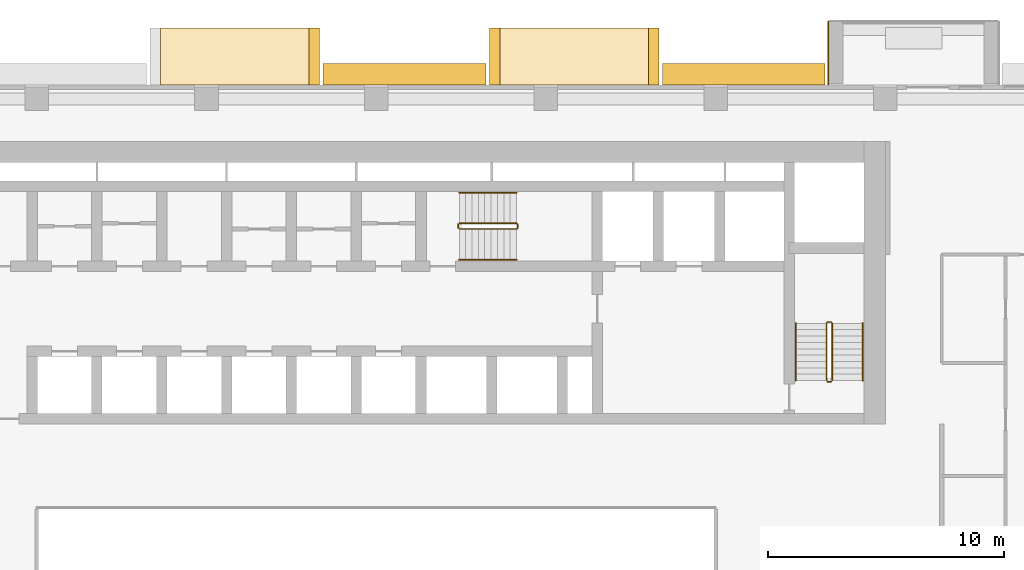
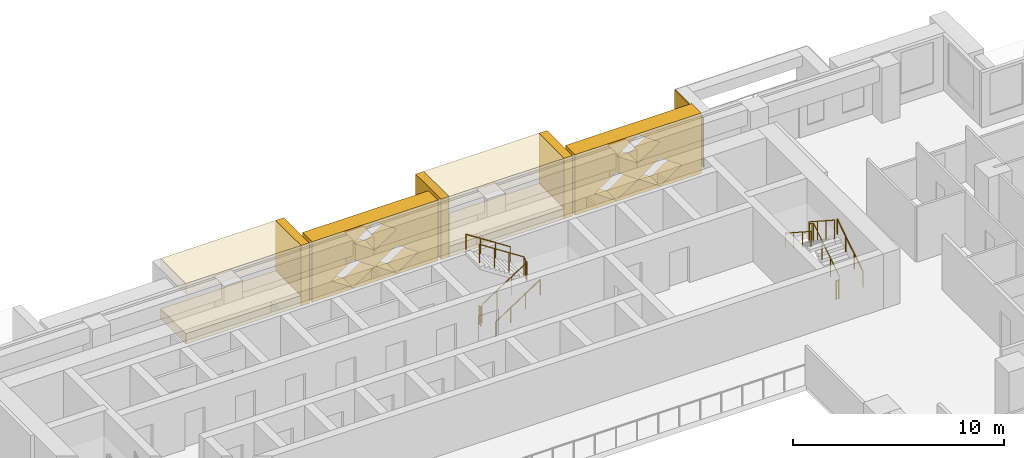
# One storey, part 15 of 16: 10 coverings, 8 railings.
"""IFC4 building model written with IfcOpenShell, lengths in metres."""

from ifc_helpers import new_model, si_unit, direction, frame, origin, origin_2d, place, context, subcontext, project, spatial, polyline, circle, outline, extrude, material, layer, layer_set, type_object, element, save


model = new_model("IFC4")

# Units and contexts
model_context = context("Model", 3, precision=1e-05, world=origin(), true_north=direction((0.0, 1.0)))
body_context = subcontext(model_context, "Body", "Model", "MODEL_VIEW")
ifc_project = project(units=[si_unit("LENGTHUNIT", "METRE"), si_unit("AREAUNIT", "SQUARE_METRE"), si_unit("VOLUMEUNIT", "CUBIC_METRE"), si_unit("PLANEANGLEUNIT", "RADIAN"), si_unit("MASSUNIT", "GRAM", prefix="KILO")], contexts=[model_context])

# Site, building, storey
site_placement = place(None, origin())
site = spatial("IfcSite", under=ifc_project, at=site_placement, CompositionType="ELEMENT")
building_placement = place(site_placement, origin())
building = spatial("IfcBuilding", under=site, at=building_placement, Name="Saffron Iwan Residences", CompositionType="ELEMENT")
storey_placement = place(building_placement, frame((0.0, 0.0, 90.0)))
storey = spatial("IfcBuildingStorey", under=building, at=storey_placement, Name="L23", CompositionType="ELEMENT", Elevation=90.0)

# Coverings
ifc_material_1 = material(Name="Precast concrete C40/50 white painted", Category="concrete")
ifc_layer = layer(ifc_material_1, 0.050048828125)
ifc_layer_set = layer_set([ifc_layer], Name="Precast concrete C40/50 white painted")
covering_type_1 = type_object("IfcCoveringType", Name="FRAME SKIN PRECAST WHITE 50", PredefinedType="CLADDING", material=ifc_layer_set)
covering_1_placement = place(storey_placement, origin())
element("IfcCovering", 1, at=covering_1_placement, inside=storey, type_object=covering_type_1, Name="Frame skin fin L23 F5-0b", PredefinedType="CLADDING", context=body_context, shape_type="SweptSolid", body=[
    extrude(outline(polyline([(69.60009765625, 83.10009765625), (69.550048828125, 83.10009765625), (69.550048828125, 80.39990234375), (69.60009765625, 80.39990234375), (69.60009765625, 83.10009765625)])), origin(), (0.0, 0.0, 1.0), 2.85009765625),
])
ifc_material_2 = material(Name="Precast concrete C40/50", Category="concrete")
covering_type_2 = type_object("IfcCoveringType", Name="OUTER SKIN LATTICE SCREEN", PredefinedType="CLADDING", material=ifc_material_2)
for number, where, z_axis, x_axis, name in (
    (2, (69.449951171875, 80.39990234375, -0.320068359375), (0.0, 1.0, 0.0), (-1.0, 0.0, 0.0), "OUTER SKIN lattice screen L23 F5.1"),
    (3, (55.050048828125, 80.39990234375, -0.320068359375), (0.0, 1.0, 0.0), (-1.0, 0.0, 0.0), "OUTER SKIN lattice screen L23 F5.2"),
):
    element("IfcCovering", number, at=place(storey_placement, frame(where, z_axis=z_axis, x_axis=x_axis)), inside=storey, type_object=covering_type_2, Name=name, PredefinedType="CLADDING", context=body_context, shape_type="SweptSolid", body=[
        extrude(outline(polyline([(0.0, 0.0), (6.89990234375, 0.0), (6.89990234375, 3.5), (0.0, 3.5), (0.0, 0.0)]), holes=[polyline([(1.070068359375, 0.875), (2.25, 0.06005859375), (3.429931640625, 0.875), (2.25, 1.68994140625), (1.070068359375, 0.875)]), polyline([(3.469970703125, 0.875), (4.64990234375, 0.06005859375), (5.830078125, 0.875), (4.64990234375, 1.68994140625), (3.469970703125, 0.875)]), polyline([(2.27001953125, 2.625), (3.449951171875, 1.81005859375), (4.6298828125, 2.625), (3.449951171875, 3.43994140625), (2.27001953125, 2.625)])]), origin(), (0.0, 0.0, 1.0), 0.900146484375),
    ])

# Railings
ifc_material_3 = material(Name="Steel S355", Category="steel")
railing_type_1 = type_object("IfcRailingType", Name="Stair guard 1100", PredefinedType="GUARDRAIL", material=ifc_material_3)
railing_1_placement = place(storey_placement, frame((53.925048828125, 74.27490234375, 0.175048828125)))
element("IfcRailing", 4, at=railing_1_placement, inside=storey, type_object=railing_type_1, Name="L23 ST-C stair guard 1", PredefinedType="GUARDRAIL", context=body_context, shape_type="SweptSolid", body=[
    extrude(circle(Radius=0.02392578125, at=origin_2d()), frame((0.0, 0.0, 1.076171875), z_axis=(0.839153699163, 0.0, 0.543894354798), x_axis=(0.0, 1.0, 0.0)), (0.0, 0.0, 1.0), 2.895751953125),
    extrude(circle(Radius=0.02392578125, at=origin_2d()), frame((2.429931640625, 0.0, 2.65087890625), z_axis=(0.707106781187, 0.707106781187, 0.0), x_axis=(-0.707106781187, 0.707106781187, 0.0)), (0.0, 0.0, 1.0), 0.07080078125),
    extrude(circle(Radius=0.02392578125, at=origin_2d()), frame((2.47998046875, 0.050048828125, 2.65087890625), z_axis=(0.0, 1.0, 0.0), x_axis=(-1.0, 0.0, 0.0)), (0.0, 0.0, 1.0), 0.150146484375),
    extrude(circle(Radius=0.02392578125, at=origin_2d()), frame((2.47998046875, 0.2001953125, 2.65087890625), z_axis=(-0.265155923931, 0.263862480399, 0.927399011991), x_axis=(-0.705375805398, -0.708833529934, 0.0)), (0.0, 0.0, 1.0), 0.188720703125),
    extrude(circle(Radius=0.02392578125, at=origin_2d()), frame((2.429931640625, 0.25, 2.826171875), z_axis=(-0.839153699163, 0.0, 0.543894354798), x_axis=(0.0, -1.0, 0.0)), (0.0, 0.0, 1.0), 2.895751953125),
    extrude(circle(Radius=0.02099609375, at=origin_2d()), origin(), (0.0, 0.0, 1.0), 1.052001953125),
    extrude(circle(Radius=0.02099609375, at=origin_2d()), frame((0.81005859375, 0.0, 0.52490234375)), (0.0, 0.0, 1.0), 1.052001953125),
    extrude(circle(Radius=0.02099609375, at=origin_2d()), frame((1.619873046875, 0.0, 1.050048828125)), (0.0, 0.0, 1.0), 1.052001953125),
    extrude(circle(Radius=0.02099609375, at=origin_2d()), frame((2.429931640625, 0.0, 1.574951171875)), (0.0, 0.0, 1.0), 1.052001953125),
    extrude(circle(Radius=0.02099609375, at=origin_2d()), frame((2.47998046875, 0.050048828125, 1.574951171875)), (0.0, 0.0, 1.0), 1.052001953125),
    extrude(circle(Radius=0.02099609375, at=origin_2d()), frame((2.47998046875, 0.2001953125, 1.574951171875)), (0.0, 0.0, 1.0), 1.052001953125),
    extrude(circle(Radius=0.02099609375, at=origin_2d()), frame((2.429931640625, 0.25, 1.75)), (0.0, 0.0, 1.0), 1.052001953125),
    extrude(circle(Radius=0.02099609375, at=origin_2d()), frame((1.619873046875, 0.25, 2.27490234375)), (0.0, 0.0, 1.0), 1.052001953125),
    extrude(circle(Radius=0.02099609375, at=origin_2d()), frame((0.81005859375, 0.25, 2.800048828125)), (0.0, 0.0, 1.0), 1.052001953125),
    extrude(circle(Radius=0.02099609375, at=origin_2d()), frame((0.0, 0.25, 3.324951171875)), (0.0, 0.0, 1.0), 1.052001953125),
])
railing_2_placement = place(storey_placement, frame((53.875, 74.324951171875, 0.0)))
element("IfcRailing", 5, at=railing_2_placement, inside=storey, type_object=railing_type_1, Name="L23 ST-C stair guard 2", PredefinedType="GUARDRAIL", context=body_context, shape_type="SweptSolid", body=[
    extrude(circle(Radius=0.02392578125, at=origin_2d()), frame((0.0, 0.0, 1.076171875), z_axis=(0.0, 1.0, 0.0), x_axis=(-1.0, 0.0, 0.0)), (0.0, 0.0, 1.0), 0.150146484375),
    extrude(circle(Radius=0.02099609375, at=origin_2d()), origin(), (0.0, 0.0, 1.0), 1.052001953125),
    extrude(circle(Radius=0.02099609375, at=origin_2d()), frame((0.0, 0.150146484375, 0.0)), (0.0, 0.0, 1.0), 1.052001953125),
])
railing_3_placement = place(storey_placement, frame((69.75, 67.85009765625, 0.175048828125)))
element("IfcRailing", 6, at=railing_3_placement, inside=storey, type_object=railing_type_1, Name="L23 ST-E stair guard 1", PredefinedType="GUARDRAIL", context=body_context, shape_type="SweptSolid", body=[
    extrude(circle(Radius=0.02392578125, at=origin_2d()), frame((0.0, 0.0, 1.076171875), z_axis=(0.0, 0.839153699163, 0.543894354798), x_axis=(-1.0, 0.0, 0.0)), (0.0, 0.0, 1.0), 2.895751953125),
    extrude(circle(Radius=0.02392578125, at=origin_2d()), frame((0.0, 2.429931640625, 2.65087890625), z_axis=(-0.707106781187, 0.707106781187, 0.0), x_axis=(-0.707106781187, -0.707106781187, 0.0)), (0.0, 0.0, 1.0), 0.07080078125),
    extrude(circle(Radius=0.02392578125, at=origin_2d()), frame((-0.050048828125, 2.47998046875, 2.65087890625), z_axis=(-1.0, 0.0, 0.0), x_axis=(0.0, -1.0, 0.0)), (0.0, 0.0, 1.0), 0.14990234375),
    extrude(circle(Radius=0.02392578125, at=origin_2d()), frame((-0.199951171875, 2.47998046875, 2.65087890625), z_axis=(-0.265065253269, -0.265065253269, 0.927081885822), x_axis=(0.707106781187, -0.707106781187, 0.0)), (0.0, 0.0, 1.0), 0.188720703125),
    extrude(circle(Radius=0.02392578125, at=origin_2d()), frame((-0.25, 2.429931640625, 2.826171875), z_axis=(0.0, -0.839153699163, 0.543894354798), x_axis=(1.0, 0.0, 0.0)), (0.0, 0.0, 1.0), 2.895751953125),
    extrude(circle(Radius=0.02099609375, at=origin_2d()), origin(), (0.0, 0.0, 1.0), 1.052001953125),
    extrude(circle(Radius=0.02099609375, at=origin_2d()), frame((0.0, 0.81005859375, 0.52490234375)), (0.0, 0.0, 1.0), 1.052001953125),
    extrude(circle(Radius=0.02099609375, at=origin_2d()), frame((0.0, 1.619873046875, 1.050048828125)), (0.0, 0.0, 1.0), 1.052001953125),
    extrude(circle(Radius=0.02099609375, at=origin_2d()), frame((0.0, 2.429931640625, 1.574951171875)), (0.0, 0.0, 1.0), 1.052001953125),
    extrude(circle(Radius=0.02099609375, at=origin_2d()), frame((-0.050048828125, 2.47998046875, 1.574951171875)), (0.0, 0.0, 1.0), 1.052001953125),
    extrude(circle(Radius=0.02099609375, at=origin_2d()), frame((-0.199951171875, 2.47998046875, 1.574951171875)), (0.0, 0.0, 1.0), 1.052001953125),
    extrude(circle(Radius=0.02099609375, at=origin_2d()), frame((-0.25, 2.429931640625, 1.75)), (0.0, 0.0, 1.0), 1.052001953125),
    extrude(circle(Radius=0.02099609375, at=origin_2d()), frame((-0.25, 1.619873046875, 2.27490234375)), (0.0, 0.0, 1.0), 1.052001953125),
    extrude(circle(Radius=0.02099609375, at=origin_2d()), frame((-0.25, 0.81005859375, 2.800048828125)), (0.0, 0.0, 1.0), 1.052001953125),
    extrude(circle(Radius=0.02099609375, at=origin_2d()), frame((-0.25, 0.0, 3.324951171875)), (0.0, 0.0, 1.0), 1.052001953125),
])
railing_4_placement = place(storey_placement, frame((69.699951171875, 67.800048828125, 0.0)))
element("IfcRailing", 7, at=railing_4_placement, inside=storey, type_object=railing_type_1, Name="L23 ST-E stair guard 2", PredefinedType="GUARDRAIL", context=body_context, shape_type="SweptSolid", body=[
    extrude(circle(Radius=0.02392578125, at=origin_2d()), frame((0.0, 0.0, 1.076171875), z_axis=(-1.0, 0.0, 0.0), x_axis=(0.0, -1.0, 0.0)), (0.0, 0.0, 1.0), 0.14990234375),
    extrude(circle(Radius=0.02099609375, at=origin_2d()), origin(), (0.0, 0.0, 1.0), 1.052001953125),
    extrude(circle(Radius=0.02099609375, at=origin_2d()), frame((-0.14990234375, 0.0, 0.0)), (0.0, 0.0, 1.0), 1.052001953125),
])
ifc_material_4 = material(Name="Stainless steel 316", Category="steel")
railing_type_2 = type_object("IfcRailingType", Name="Stair handrail 900", PredefinedType="HANDRAIL", material=ifc_material_4)
railing_5_placement = place(storey_placement, frame((53.925048828125, 72.97509765625, 0.175048828125)))
element("IfcRailing", 8, at=railing_5_placement, inside=storey, type_object=railing_type_2, Name="L23 ST-C stair handrail 1", PredefinedType="HANDRAIL", context=body_context, shape_type="SweptSolid", body=[
    extrude(circle(Radius=0.02392578125, at=origin_2d()), frame((0.0, 0.0, 0.8759765625), z_axis=(0.839153699163, 0.0, 0.543894354798), x_axis=(0.0, 1.0, 0.0)), (0.0, 0.0, 1.0), 2.895751953125),
    extrude(circle(Radius=0.02099609375, at=origin_2d()), origin(), (0.0, 0.0, 1.0), 0.851806640625),
    extrude(circle(Radius=0.02099609375, at=origin_2d()), frame((0.81005859375, 0.0, 0.52490234375)), (0.0, 0.0, 1.0), 0.851806640625),
    extrude(circle(Radius=0.02099609375, at=origin_2d()), frame((1.619873046875, 0.0, 1.050048828125)), (0.0, 0.0, 1.0), 0.851806640625),
    extrude(circle(Radius=0.02099609375, at=origin_2d()), frame((2.429931640625, 0.0, 1.574951171875)), (0.0, 0.0, 1.0), 0.851806640625),
])
railing_6_placement = place(storey_placement, frame((56.35498046875, 75.824951171875, 1.925048828125)))
element("IfcRailing", 9, at=railing_6_placement, inside=storey, type_object=railing_type_2, Name="L23 ST-C stair handrail 2", PredefinedType="HANDRAIL", context=body_context, shape_type="SweptSolid", body=[
    extrude(circle(Radius=0.02392578125, at=origin_2d()), frame((0.0, 0.0, 0.8759765625), z_axis=(-0.839153699163, 0.0, 0.543894354798), x_axis=(0.0, -1.0, 0.0)), (0.0, 0.0, 1.0), 2.895751953125),
    extrude(circle(Radius=0.02099609375, at=origin_2d()), origin(), (0.0, 0.0, 1.0), 0.851806640625),
    extrude(circle(Radius=0.02099609375, at=origin_2d()), frame((-0.81005859375, 0.0, 0.52490234375)), (0.0, 0.0, 1.0), 0.851806640625),
    extrude(circle(Radius=0.02099609375, at=origin_2d()), frame((-1.619873046875, 0.0, 1.050048828125)), (0.0, 0.0, 1.0), 0.851806640625),
    extrude(circle(Radius=0.02099609375, at=origin_2d()), frame((-2.429931640625, 0.0, 1.574951171875)), (0.0, 0.0, 1.0), 0.851806640625),
])
railing_7_placement = place(storey_placement, frame((71.050048828125, 67.85009765625, 0.175048828125)))
element("IfcRailing", 10, at=railing_7_placement, inside=storey, type_object=railing_type_2, Name="L23 ST-E stair handrail 1", PredefinedType="HANDRAIL", context=body_context, shape_type="SweptSolid", body=[
    extrude(circle(Radius=0.02392578125, at=origin_2d()), frame((0.0, 0.0, 0.8759765625), z_axis=(0.0, 0.839153699163, 0.543894354798), x_axis=(-1.0, 0.0, 0.0)), (0.0, 0.0, 1.0), 2.895751953125),
    extrude(circle(Radius=0.02099609375, at=origin_2d()), origin(), (0.0, 0.0, 1.0), 0.851806640625),
    extrude(circle(Radius=0.02099609375, at=origin_2d()), frame((0.0, 0.81005859375, 0.52490234375)), (0.0, 0.0, 1.0), 0.851806640625),
    extrude(circle(Radius=0.02099609375, at=origin_2d()), frame((0.0, 1.619873046875, 1.050048828125)), (0.0, 0.0, 1.0), 0.851806640625),
    extrude(circle(Radius=0.02099609375, at=origin_2d()), frame((0.0, 2.429931640625, 1.574951171875)), (0.0, 0.0, 1.0), 0.851806640625),
])
railing_8_placement = place(storey_placement, frame((68.199951171875, 70.280029296875, 1.925048828125)))
element("IfcRailing", 11, at=railing_8_placement, inside=storey, type_object=railing_type_2, Name="L23 ST-E stair handrail 2", PredefinedType="HANDRAIL", context=body_context, shape_type="SweptSolid", body=[
    extrude(circle(Radius=0.02392578125, at=origin_2d()), frame((0.0, 0.0, 0.8759765625), z_axis=(0.0, -0.839153699163, 0.543894354798), x_axis=(1.0, 0.0, 0.0)), (0.0, 0.0, 1.0), 2.895751953125),
    extrude(circle(Radius=0.02099609375, at=origin_2d()), origin(), (0.0, 0.0, 1.0), 0.851806640625),
    extrude(circle(Radius=0.02099609375, at=origin_2d()), frame((0.0, -0.81005859375, 0.52490234375)), (0.0, 0.0, 1.0), 0.851806640625),
    extrude(circle(Radius=0.02099609375, at=origin_2d()), frame((0.0, -1.619873046875, 1.050048828125)), (0.0, 0.0, 1.0), 0.851806640625),
    extrude(circle(Radius=0.02099609375, at=origin_2d()), frame((0.0, -2.429931640625, 1.574951171875)), (0.0, 0.0, 1.0), 0.851806640625),
])

# Coverings
covering_type_3 = type_object("IfcCoveringType", Name="WHITE SUN FRAME PRECAST", PredefinedType="CLADDING", material=ifc_material_1)
for number, where, z_axis, x_axis, name in (
    (12, (62.39990234375, 80.39990234375, -0.320068359375), (0.0, 1.0, 0.0), (-1.0, 0.0, 0.0), "Sun frame L23 F5 20.4a"),
    (13, (55.64990234375, 80.39990234375, -0.320068359375), (0.0, 1.0, 0.0), (-1.0, 0.0, 0.0), "Sun frame L23 F5 20.4b"),
):
    element("IfcCovering", number, at=place(storey_placement, frame(where, z_axis=z_axis, x_axis=x_axis)), inside=storey, type_object=covering_type_3, Name=name, PredefinedType="CLADDING", context=body_context, shape_type="SweptSolid", body=[
        extrude(outline(polyline([(0.0, 0.0), (0.449951171875, 0.0), (0.449951171875, 3.5), (0.0, 3.5), (0.0, 0.0)])), origin(), (0.0, 0.0, 1.0), 2.400146484375),
    ])
for number, where, z_axis, x_axis, name in (
    (14, (61.949951171875, 80.39990234375, 2.580078125), (0.0, 1.0, 0.0), (-1.0, 0.0, 0.0), "Sun frame L23 F5 20.4h"),
    (15, (61.949951171875, 80.39990234375, -0.320068359375), (0.0, 1.0, 0.0), (-1.0, 0.0, 0.0), "Sun frame L23 F5 20.4s"),
):
    element("IfcCovering", number, at=place(storey_placement, frame(where, z_axis=z_axis, x_axis=x_axis)), inside=storey, type_object=covering_type_3, Name=name, PredefinedType="CLADDING", context=body_context, shape_type="SweptSolid", body=[
        extrude(outline(polyline([(0.0, 0.0), (6.300048828125, 0.0), (6.300048828125, 0.60009765625), (0.0, 0.60009765625), (0.0, 0.0)])), origin(), (0.0, 0.0, 1.0), 2.400146484375),
    ])
covering_2_placement = place(storey_placement, frame((48.0, 80.39990234375, -0.320068359375), z_axis=(0.0, 1.0, 0.0), x_axis=(-1.0, 0.0, 0.0)))
element("IfcCovering", 16, at=covering_2_placement, inside=storey, type_object=covering_type_3, Name="Sun frame L23 F5 34.8a", PredefinedType="CLADDING", context=body_context, shape_type="SweptSolid", body=[
    extrude(outline(polyline([(0.0, 0.0), (0.449951171875, 0.0), (0.449951171875, 3.5), (0.0, 3.5), (0.0, 0.0)])), origin(), (0.0, 0.0, 1.0), 2.400146484375),
])
for number, where, z_axis, x_axis, name in (
    (17, (47.550048828125, 80.39990234375, 2.580078125), (0.0, 1.0, 0.0), (-1.0, 0.0, 0.0), "Sun frame L23 F5 34.8h"),
    (18, (47.550048828125, 80.39990234375, -0.320068359375), (0.0, 1.0, 0.0), (-1.0, 0.0, 0.0), "Sun frame L23 F5 34.8s"),
):
    element("IfcCovering", number, at=place(storey_placement, frame(where, z_axis=z_axis, x_axis=x_axis)), inside=storey, type_object=covering_type_3, Name=name, PredefinedType="CLADDING", context=body_context, shape_type="SweptSolid", body=[
        extrude(outline(polyline([(0.0, 0.0), (6.300048828125, 0.0), (6.300048828125, 0.60009765625), (0.0, 0.60009765625), (0.0, 0.0)])), origin(), (0.0, 0.0, 1.0), 2.400146484375),
    ])

save(model, "model.ifc")
